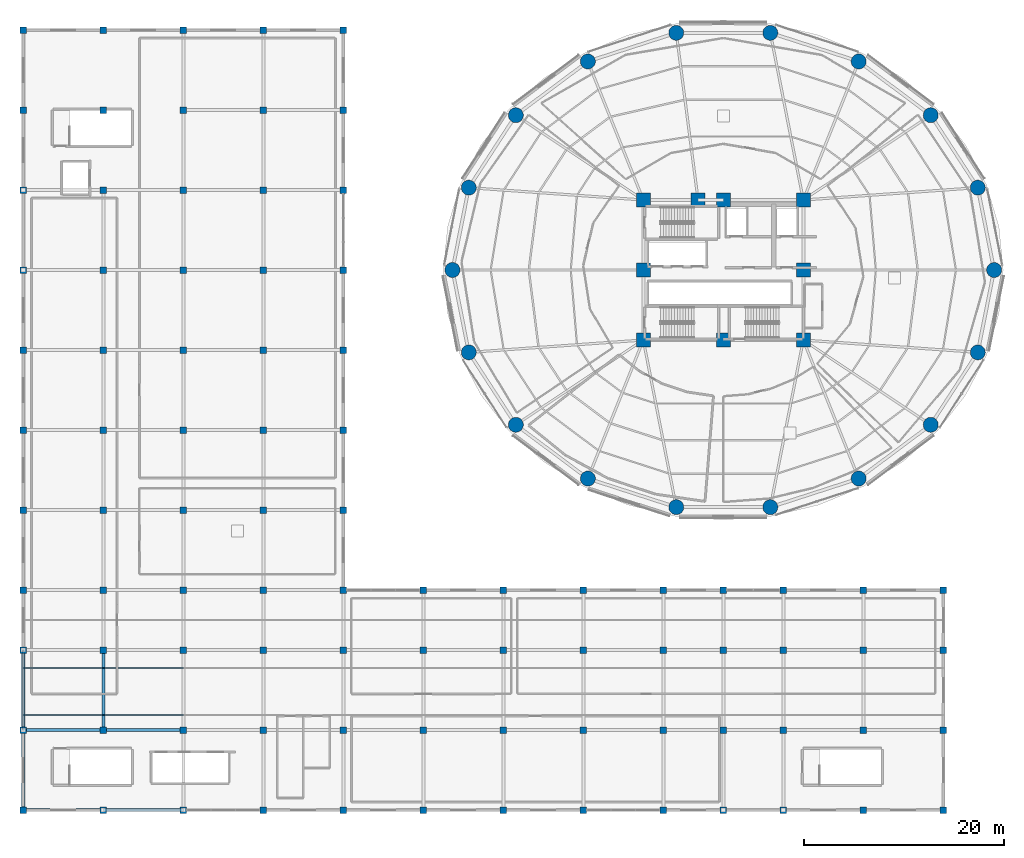
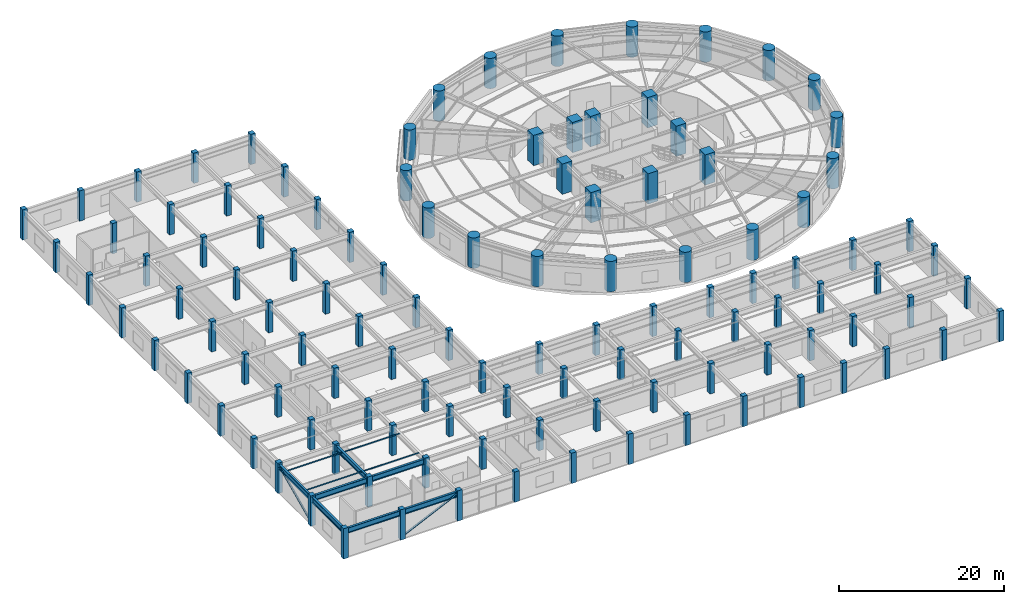
# One storey, part 1 of 46: 114 columns, 7 beams, 6 members.
"""IFC4 building model written with IfcOpenShell, lengths in metres."""

from ifc_helpers import new_model, si_unit, direction, frame, origin, origin_2d, place, context, subcontext, project, spatial, rectangle, hollow_rectangle, circle, hollow_circle, i_section, extrude, material, material_profile, profile_set, type_object, element, save


model = new_model("IFC4")

# Units and contexts
model_context = context("Model", 3, precision=1e-05, world=origin(), true_north=direction((0.0, 1.0)))
body_context = subcontext(model_context, "Body", "Model", "MODEL_VIEW")
ifc_project = project(units=[si_unit("LENGTHUNIT", "METRE"), si_unit("AREAUNIT", "SQUARE_METRE"), si_unit("VOLUMEUNIT", "CUBIC_METRE"), si_unit("PLANEANGLEUNIT", "RADIAN"), si_unit("MASSUNIT", "GRAM", prefix="KILO")], contexts=[model_context])

# Site, building, storey
site_placement = place(None, origin())
site = spatial("IfcSite", under=ifc_project, at=site_placement, CompositionType="ELEMENT")
building_placement = place(site_placement, origin())
building = spatial("IfcBuilding", under=site, at=building_placement, Name="Kelanora Arch Commons", CompositionType="ELEMENT")
storey_placement = place(building_placement, frame((0.0, 0.0, 18.0)))
storey = spatial("IfcBuildingStorey", under=building, at=storey_placement, Name="L04", CompositionType="ELEMENT", Elevation=18.0)

# Columns
ifc_material_1 = material(Name="Concrete C50/60", Category="concrete")
ifc_material_profile_1 = material_profile(ifc_material_1, rectangle(XDim=0.64990234375, YDim=0.64990234375, at=origin_2d()), Name="RC650x650")
ifc_profile_set_1 = profile_set([ifc_material_profile_1], Name="Concrete C50/60")
column_type_1 = type_object("IfcColumnType", Name="COL-MKT-UP", PredefinedType="COLUMN", material=ifc_profile_set_1)
for number, where, z_axis, x_axis, name in (
    (1, (4.0, 4.0, 0.0), (0.0, 0.0, 1.0), (1.0, 0.0, 0.0), "Market Hall Column 1-A L04"),
    (2, (4.0, 12.0, 0.0), (0.0, 0.0, 1.0), (1.0, 0.0, 0.0), "Market Hall Column 1-B L04"),
    (3, (4.0, 20.0, 0.0), (0.0, 0.0, 1.0), (1.0, 0.0, 0.0), "Market Hall Column 1-C L04"),
    (4, (4.0, 26.0, 0.0), (0.0, 0.0, 1.0), (1.0, 0.0, 0.0), "Market Hall Column 1-D L04"),
    (5, (4.0, 34.0, 0.0), (0.0, 0.0, 1.0), (1.0, 0.0, 0.0), "Market Hall Column 1-E L04"),
    (6, (4.0, 42.0, 0.0), (0.0, 0.0, 1.0), (1.0, 0.0, 0.0), "Market Hall Column 1-F L04"),
    (7, (4.0, 50.0, 0.0), (0.0, 0.0, 1.0), (1.0, 0.0, 0.0), "Market Hall Column 1-G L04"),
    (8, (4.0, 58.0, 0.0), (0.0, 0.0, 1.0), (1.0, 0.0, 0.0), "Market Hall Column 1-H L04"),
    (9, (4.0, 66.0, 0.0), (0.0, 0.0, 1.0), (1.0, 0.0, 0.0), "Market Hall Column 1-J L04"),
    (10, (4.0, 74.0, 0.0), (0.0, 0.0, 1.0), (1.0, 0.0, 0.0), "Market Hall Column 1-K L04"),
    (11, (4.0, 82.0, 0.0), (0.0, 0.0, 1.0), (1.0, 0.0, 0.0), "Market Hall Column 1-L L04"),
    (12, (12.0, 4.0, 0.0), (0.0, 0.0, 1.0), (1.0, 0.0, 0.0), "Market Hall Column 2-A L04"),
    (13, (12.0, 12.0, 0.0), (0.0, 0.0, 1.0), (1.0, 0.0, 0.0), "Market Hall Column 2-B L04"),
    (14, (12.0, 20.0, 0.0), (0.0, 0.0, 1.0), (1.0, 0.0, 0.0), "Market Hall Column 2-C L04"),
    (15, (12.0, 26.0, 0.0), (0.0, 0.0, 1.0), (1.0, 0.0, 0.0), "Market Hall Column 2-D L04"),
    (16, (12.0, 34.0, 0.0), (0.0, 0.0, 1.0), (1.0, 0.0, 0.0), "Market Hall Column 2-E L04"),
    (17, (12.0, 42.0, 0.0), (0.0, 0.0, 1.0), (1.0, 0.0, 0.0), "Market Hall Column 2-F L04"),
    (18, (12.0, 50.0, 0.0), (0.0, 0.0, 1.0), (1.0, 0.0, 0.0), "Market Hall Column 2-G L04"),
    (19, (12.0, 58.0, 0.0), (0.0, 0.0, 1.0), (1.0, 0.0, 0.0), "Market Hall Column 2-H L04"),
    (20, (12.0, 66.0, 0.0), (0.0, 0.0, 1.0), (1.0, 0.0, 0.0), "Market Hall Column 2-J L04"),
    (21, (12.0, 74.0, 0.0), (0.0, 0.0, 1.0), (1.0, 0.0, 0.0), "Market Hall Column 2-K L04"),
    (22, (12.0, 82.0, 0.0), (0.0, 0.0, 1.0), (1.0, 0.0, 0.0), "Market Hall Column 2-L L04"),
    (23, (20.0, 4.0, 0.0), (0.0, 0.0, 1.0), (1.0, 0.0, 0.0), "Market Hall Column 3-A L04"),
    (24, (20.0, 12.0, 0.0), (0.0, 0.0, 1.0), (1.0, 0.0, 0.0), "Market Hall Column 3-B L04"),
    (25, (20.0, 20.0, 0.0), (0.0, 0.0, 1.0), (1.0, 0.0, 0.0), "Market Hall Column 3-C L04"),
    (26, (20.0, 26.0, 0.0), (0.0, 0.0, 1.0), (1.0, 0.0, 0.0), "Market Hall Column 3-D L04"),
    (27, (20.0, 34.0, 0.0), (0.0, 0.0, 1.0), (1.0, 0.0, 0.0), "Market Hall Column 3-E L04"),
    (28, (20.0, 42.0, 0.0), (0.0, 0.0, 1.0), (1.0, 0.0, 0.0), "Market Hall Column 3-F L04"),
    (29, (20.0, 50.0, 0.0), (0.0, 0.0, 1.0), (1.0, 0.0, 0.0), "Market Hall Column 3-G L04"),
    (30, (20.0, 58.0, 0.0), (0.0, 0.0, 1.0), (1.0, 0.0, 0.0), "Market Hall Column 3-H L04"),
    (31, (20.0, 66.0, 0.0), (0.0, 0.0, 1.0), (1.0, 0.0, 0.0), "Market Hall Column 3-J L04"),
    (32, (20.0, 74.0, 0.0), (0.0, 0.0, 1.0), (1.0, 0.0, 0.0), "Market Hall Column 3-K L04"),
    (33, (20.0, 82.0, 0.0), (0.0, 0.0, 1.0), (1.0, 0.0, 0.0), "Market Hall Column 3-L L04"),
    (34, (28.0, 4.0, 0.0), (0.0, 0.0, 1.0), (1.0, 0.0, 0.0), "Market Hall Column 4-A L04"),
    (35, (28.0, 12.0, 0.0), (0.0, 0.0, 1.0), (1.0, 0.0, 0.0), "Market Hall Column 4-B L04"),
    (36, (28.0, 20.0, 0.0), (0.0, 0.0, 1.0), (1.0, 0.0, 0.0), "Market Hall Column 4-C L04"),
    (37, (28.0, 26.0, 0.0), (0.0, 0.0, 1.0), (1.0, 0.0, 0.0), "Market Hall Column 4-D L04"),
    (38, (28.0, 34.0, 0.0), (0.0, 0.0, 1.0), (1.0, 0.0, 0.0), "Market Hall Column 4-E L04"),
    (39, (28.0, 42.0, 0.0), (0.0, 0.0, 1.0), (1.0, 0.0, 0.0), "Market Hall Column 4-F L04"),
    (40, (28.0, 50.0, 0.0), (0.0, 0.0, 1.0), (1.0, 0.0, 0.0), "Market Hall Column 4-G L04"),
    (41, (28.0, 58.0, 0.0), (0.0, 0.0, 1.0), (1.0, 0.0, 0.0), "Market Hall Column 4-H L04"),
    (42, (28.0, 66.0, 0.0), (0.0, 0.0, 1.0), (1.0, 0.0, 0.0), "Market Hall Column 4-J L04"),
    (43, (28.0, 74.0, 0.0), (0.0, 0.0, 1.0), (1.0, 0.0, 0.0), "Market Hall Column 4-K L04"),
    (44, (28.0, 82.0, 0.0), (0.0, 0.0, 1.0), (1.0, 0.0, 0.0), "Market Hall Column 4-L L04"),
    (45, (36.0, 4.0, 0.0), (0.0, 0.0, 1.0), (1.0, 0.0, 0.0), "Market Hall Column 5-A L04"),
    (46, (36.0, 12.0, 0.0), (0.0, 0.0, 1.0), (1.0, 0.0, 0.0), "Market Hall Column 5-B L04"),
    (47, (36.0, 20.0, 0.0), (0.0, 0.0, 1.0), (1.0, 0.0, 0.0), "Market Hall Column 5-C L04"),
    (48, (36.0, 26.0, 0.0), (0.0, 0.0, 1.0), (1.0, 0.0, 0.0), "Market Hall Column 5-D L04"),
    (49, (36.0, 34.0, 0.0), (0.0, 0.0, 1.0), (1.0, 0.0, 0.0), "Market Hall Column 5-E L04"),
    (50, (36.0, 42.0, 0.0), (0.0, 0.0, 1.0), (1.0, 0.0, 0.0), "Market Hall Column 5-F L04"),
    (51, (36.0, 50.0, 0.0), (0.0, 0.0, 1.0), (1.0, 0.0, 0.0), "Market Hall Column 5-G L04"),
    (52, (36.0, 58.0, 0.0), (0.0, 0.0, 1.0), (1.0, 0.0, 0.0), "Market Hall Column 5-H L04"),
    (53, (36.0, 66.0, 0.0), (0.0, 0.0, 1.0), (1.0, 0.0, 0.0), "Market Hall Column 5-J L04"),
    (54, (36.0, 74.0, 0.0), (0.0, 0.0, 1.0), (1.0, 0.0, 0.0), "Market Hall Column 5-K L04"),
    (55, (36.0, 82.0, 0.0), (0.0, 0.0, 1.0), (1.0, 0.0, 0.0), "Market Hall Column 5-L L04"),
    (56, (44.0, 4.0, 0.0), (0.0, 0.0, 1.0), (1.0, 0.0, 0.0), "Market Hall Column 6-A L04"),
    (57, (44.0, 12.0, 0.0), (0.0, 0.0, 1.0), (1.0, 0.0, 0.0), "Market Hall Column 6-B L04"),
    (58, (44.0, 20.0, 0.0), (0.0, 0.0, 1.0), (1.0, 0.0, 0.0), "Market Hall Column 6-C L04"),
    (59, (44.0, 26.0, 0.0), (0.0, 0.0, 1.0), (1.0, 0.0, 0.0), "Market Hall Column 6-D L04"),
    (60, (52.0, 4.0, 0.0), (0.0, 0.0, 1.0), (1.0, 0.0, 0.0), "Market Hall Column 7-A L04"),
    (61, (52.0, 12.0, 0.0), (0.0, 0.0, 1.0), (1.0, 0.0, 0.0), "Market Hall Column 7-B L04"),
    (62, (52.0, 20.0, 0.0), (0.0, 0.0, 1.0), (1.0, 0.0, 0.0), "Market Hall Column 7-C L04"),
    (63, (52.0, 26.0, 0.0), (0.0, 0.0, 1.0), (1.0, 0.0, 0.0), "Market Hall Column 7-D L04"),
    (64, (60.0, 4.0, 0.0), (0.0, 0.0, 1.0), (1.0, 0.0, 0.0), "Market Hall Column 8-A L04"),
    (65, (60.0, 12.0, 0.0), (0.0, 0.0, 1.0), (1.0, 0.0, 0.0), "Market Hall Column 8-B L04"),
    (66, (60.0, 20.0, 0.0), (0.0, 0.0, 1.0), (1.0, 0.0, 0.0), "Market Hall Column 8-C L04"),
    (67, (60.0, 26.0, 0.0), (0.0, 0.0, 1.0), (1.0, 0.0, 0.0), "Market Hall Column 8-D L04"),
    (68, (68.0, 4.0, 0.0), (0.0, 0.0, 1.0), (1.0, 0.0, 0.0), "Market Hall Column 9-A L04"),
    (69, (68.0, 12.0, 0.0), (0.0, 0.0, 1.0), (1.0, 0.0, 0.0), "Market Hall Column 9-B L04"),
    (70, (68.0, 20.0, 0.0), (0.0, 0.0, 1.0), (1.0, 0.0, 0.0), "Market Hall Column 9-C L04"),
    (71, (68.0, 26.0, 0.0), (0.0, 0.0, 1.0), (1.0, 0.0, 0.0), "Market Hall Column 9-D L04"),
    (72, (74.0, 4.0, 0.0), (0.0, 0.0, 1.0), (1.0, 0.0, 0.0), "Market Hall Column 10-A L04"),
    (73, (74.0, 12.0, 0.0), (0.0, 0.0, 1.0), (1.0, 0.0, 0.0), "Market Hall Column 10-B L04"),
    (74, (74.0, 20.0, 0.0), (0.0, 0.0, 1.0), (1.0, 0.0, 0.0), "Market Hall Column 10-C L04"),
    (75, (74.0, 26.0, 0.0), (0.0, 0.0, 1.0), (1.0, 0.0, 0.0), "Market Hall Column 10-D L04"),
    (76, (80.0, 4.0, 0.0), (0.0, 0.0, 1.0), (1.0, 0.0, 0.0), "Market Hall Column 11-A L04"),
    (77, (80.0, 12.0, 0.0), (0.0, 0.0, 1.0), (1.0, 0.0, 0.0), "Market Hall Column 11-B L04"),
    (78, (80.0, 20.0, 0.0), (0.0, 0.0, 1.0), (1.0, 0.0, 0.0), "Market Hall Column 11-C L04"),
    (79, (80.0, 26.0, 0.0), (0.0, 0.0, 1.0), (1.0, 0.0, 0.0), "Market Hall Column 11-D L04"),
    (80, (88.0, 4.0, 0.0), (0.0, 0.0, 1.0), (1.0, 0.0, 0.0), "Market Hall Column 12-A L04"),
    (81, (88.0, 12.0, 0.0), (0.0, 0.0, 1.0), (1.0, 0.0, 0.0), "Market Hall Column 12-B L04"),
    (82, (88.0, 20.0, 0.0), (0.0, 0.0, 1.0), (1.0, 0.0, 0.0), "Market Hall Column 12-C L04"),
    (83, (88.0, 26.0, 0.0), (0.0, 0.0, 1.0), (1.0, 0.0, 0.0), "Market Hall Column 12-D L04"),
    (84, (96.0, 4.0, 0.0), (0.0, 0.0, 1.0), (1.0, 0.0, 0.0), "Market Hall Column 13-A L04"),
    (85, (96.0, 12.0, 0.0), (0.0, 0.0, 1.0), (1.0, 0.0, 0.0), "Market Hall Column 13-B L04"),
    (86, (96.0, 20.0, 0.0), (0.0, 0.0, 1.0), (1.0, 0.0, 0.0), "Market Hall Column 13-C L04"),
    (87, (96.0, 26.0, 0.0), (0.0, 0.0, 1.0), (1.0, 0.0, 0.0), "Market Hall Column 13-D L04"),
):
    element("IfcColumn", number, at=place(storey_placement, frame(where, z_axis=z_axis, x_axis=x_axis)), inside=storey, type_object=column_type_1, Name=name, PredefinedType="COLUMN", context=body_context, shape_type="SweptSolid", body=[
        extrude(rectangle(XDim=0.64990234375, YDim=0.64990234375, at=origin_2d()), origin(), (0.0, 0.0, 1.0), 4.5),
    ])
ifc_material_2 = material(Name="Concrete C60/75", Category="concrete")
ifc_material_profile_2 = material_profile(ifc_material_2, circle(Radius=0.75, at=origin_2d()), Name="RCC1500")
ifc_profile_set_2 = profile_set([ifc_material_profile_2], Name="Concrete C60/75")
column_type_2 = type_object("IfcColumnType", Name="COL-PERIM-Z1", PredefinedType="COLUMN", material=ifc_profile_set_2)
for number, where, z_axis, x_axis, name in (
    (88, (101.080078125, 58.0, 0.0), (0.0, 0.0, 1.0), (1.0, 0.0, 0.0), "Perimeter Ring Column CP-00 L04"),
    (89, (99.447021484375, 66.23583984375, 0.0), (0.0, 0.0, 1.0), (1.0, 0.0, 0.0), "Perimeter Ring Column CP-02 L04"),
    (90, (94.744384765625, 73.478271484375, 0.0), (0.0, 0.0, 1.0), (1.0, 0.0, 0.0), "Perimeter Ring Column CP-04 L04"),
    (91, (87.5400390625, 78.85400390625, 0.0), (0.0, 0.0, 1.0), (1.0, 0.0, 0.0), "Perimeter Ring Column CP-06 L04"),
    (92, (78.702392578125, 81.714111328125, 0.0), (0.0, 0.0, 1.0), (1.0, 0.0, 0.0), "Perimeter Ring Column CP-08 L04"),
    (93, (69.297607421875, 81.714111328125, 0.0), (0.0, 0.0, 1.0), (1.0, 0.0, 0.0), "Perimeter Ring Column CP-10 L04"),
    (94, (60.4599609375, 78.85400390625, 0.0), (0.0, 0.0, 1.0), (1.0, 0.0, 0.0), "Perimeter Ring Column CP-12 L04"),
    (95, (53.255615234375, 73.478271484375, 0.0), (0.0, 0.0, 1.0), (1.0, 0.0, 0.0), "Perimeter Ring Column CP-14 L04"),
    (96, (48.552978515625, 66.23583984375, 0.0), (0.0, 0.0, 1.0), (1.0, 0.0, 0.0), "Perimeter Ring Column CP-16 L04"),
    (97, (46.919921875, 58.0, 0.0), (0.0, 0.0, 1.0), (1.0, 0.0, 0.0), "Perimeter Ring Column CP-18 L04"),
    (98, (48.552978515625, 49.76416015625, 0.0), (0.0, 0.0, 1.0), (1.0, 0.0, 0.0), "Perimeter Ring Column CP-20 L04"),
    (99, (53.255615234375, 42.521728515625, 0.0), (0.0, 0.0, 1.0), (1.0, 0.0, 0.0), "Perimeter Ring Column CP-22 L04"),
    (100, (60.4599609375, 37.14599609375, 0.0), (0.0, 0.0, 1.0), (1.0, 0.0, 0.0), "Perimeter Ring Column CP-24 L04"),
    (101, (69.297607421875, 34.285888671875, 0.0), (0.0, 0.0, 1.0), (1.0, 0.0, 0.0), "Perimeter Ring Column CP-26 L04"),
    (102, (78.702392578125, 34.285888671875, 0.0), (0.0, 0.0, 1.0), (1.0, 0.0, 0.0), "Perimeter Ring Column CP-28 L04"),
    (103, (87.5400390625, 37.14599609375, 0.0), (0.0, 0.0, 1.0), (1.0, 0.0, 0.0), "Perimeter Ring Column CP-30 L04"),
    (104, (94.744384765625, 42.521728515625, 0.0), (0.0, 0.0, 1.0), (1.0, 0.0, 0.0), "Perimeter Ring Column CP-32 L04"),
    (105, (99.447021484375, 49.76416015625, 0.0), (0.0, 0.0, 1.0), (1.0, 0.0, 0.0), "Perimeter Ring Column CP-34 L04"),
):
    element("IfcColumn", number, at=place(storey_placement, frame(where, z_axis=z_axis, x_axis=x_axis)), inside=storey, type_object=column_type_2, Name=name, PredefinedType="COLUMN", context=body_context, shape_type="SweptSolid", body=[
        extrude(circle(Radius=0.75, at=origin_2d()), origin(), (0.0, 0.0, 1.0), 4.5),
    ])
ifc_material_profile_3 = material_profile(ifc_material_2, rectangle(XDim=1.39990234375, YDim=1.39990234375, at=origin_2d()), Name="RC1400x1400")
ifc_profile_set_3 = profile_set([ifc_material_profile_3], Name="Concrete C60/75")
column_type_3 = type_object("IfcColumnType", Name="COL-PIL-LOW", PredefinedType="PILASTER", material=ifc_profile_set_3)
for number, where, z_axis, x_axis, name in (
    (106, (66.0, 51.0, 0.0), (0.0, 0.0, 1.0), (1.0, 0.0, 0.0), "Core Pilaster Column CP1 L04"),
    (107, (74.0, 51.0, 0.0), (0.0, 0.0, 1.0), (1.0, 0.0, 0.0), "Core Pilaster Column CP2 L04"),
    (108, (82.0, 51.0, 0.0), (0.0, 0.0, 1.0), (1.0, 0.0, 0.0), "Core Pilaster Column CP3 L04"),
    (109, (82.0, 58.0, 0.0), (0.0, 0.0, 1.0), (1.0, 0.0, 0.0), "Core Pilaster Column CP4 L04"),
    (110, (82.0, 65.0, 0.0), (0.0, 0.0, 1.0), (1.0, 0.0, 0.0), "Core Pilaster Column CP5 L04"),
    (111, (74.0, 65.0, 0.0), (0.0, 0.0, 1.0), (1.0, 0.0, 0.0), "Core Pilaster Column CP6 L04"),
    (112, (71.47998046875, 65.0, 0.0), (0.0, 0.0, 1.0), (1.0, 0.0, 0.0), "Core Pilaster Column CP9 L04"),
    (113, (66.0, 65.0, 0.0), (0.0, 0.0, 1.0), (1.0, 0.0, 0.0), "Core Pilaster Column CP7 L04"),
    (114, (66.0, 58.0, 0.0), (0.0, 0.0, 1.0), (1.0, 0.0, 0.0), "Core Pilaster Column CP8 L04"),
):
    element("IfcColumn", number, at=place(storey_placement, frame(where, z_axis=z_axis, x_axis=x_axis)), inside=storey, type_object=column_type_3, Name=name, PredefinedType="PILASTER", context=body_context, shape_type="SweptSolid", body=[
        extrude(rectangle(XDim=1.39990234375, YDim=1.39990234375, at=origin_2d()), origin(), (0.0, 0.0, 1.0), 4.5),
    ])

# Beams
ifc_material_3 = material(Name="Steel S355", Category="steel")
ifc_material_profile_4 = material_profile(ifc_material_3, i_section(OverallWidth=0.300048828125, OverallDepth=0.800048828125, WebThickness=0.017578125, FlangeThickness=0.032958984375, FilletRadius=0.030029296875, at=origin_2d()), Name="HEB800")
ifc_profile_set_4 = profile_set([ifc_material_profile_4], Name="Steel S355")
beam_type = type_object("IfcBeamType", Name="BM-MKT-ROOF", PredefinedType="USERDEFINED", material=ifc_profile_set_4)
for number, where, z_axis, x_axis, name in (
    (115, (4.0, 4.0, 3.860107421875), (1.0, 0.0, 0.0), (0.0, 1.0, 0.0), "Market/Basement Frame Beam 001 L04"),
    (116, (4.0, 4.0, 3.860107421875), (0.0, 1.0, 0.0), (-1.0, 0.0, 0.0), "Market/Basement Frame Beam 002 L04"),
    (117, (4.0, 12.0, 3.860107421875), (1.0, 0.0, 0.0), (0.0, 1.0, 0.0), "Market/Basement Frame Beam 003 L04"),
    (118, (4.0, 12.0, 3.860107421875), (0.0, 1.0, 0.0), (-1.0, 0.0, 0.0), "Market/Basement Frame Beam 004 L04"),
    (119, (12.0, 4.0, 3.860107421875), (1.0, 0.0, 0.0), (0.0, 1.0, 0.0), "Market/Basement Frame Beam 021 L04"),
    (120, (12.0, 12.0, 3.860107421875), (1.0, 0.0, 0.0), (0.0, 1.0, 0.0), "Market/Basement Frame Beam 022 L04"),
    (121, (12.0, 12.0, 3.860107421875), (0.0, 1.0, 0.0), (-1.0, 0.0, 0.0), "Market/Basement Frame Beam 023 L04"),
):
    element("IfcBeam", number, at=place(storey_placement, frame(where, z_axis=z_axis, x_axis=x_axis)), inside=storey, type_object=beam_type, Name=name, ObjectType="TRANSFER_GIRDER", PredefinedType="USERDEFINED", context=body_context, shape_type="SweptSolid", body=[
        extrude(i_section(OverallWidth=0.300048828125, OverallDepth=0.800048828125, WebThickness=0.017578125, FlangeThickness=0.032958984375, FilletRadius=0.030029296875, at=origin_2d()), origin(), (0.0, 0.0, 1.0), 8.0),
    ])

# Members
ifc_material_profile_5 = material_profile(ifc_material_3, hollow_circle(Radius=0.136474609375, WallThickness=0.012451171875, at=origin_2d()), Name="CHS273x12.5")
ifc_profile_set_5 = profile_set([ifc_material_profile_5], Name="Steel S355")
member_type_1 = type_object("IfcMemberType", Name="MEM-MKT-BRACE", PredefinedType="BRACE", material=ifc_profile_set_5)
for number, where, z_axis, x_axis, name in (
    (122, (12.0, 4.0, 0.25), (0.905894061359, 0.0, 0.423504367858), (0.0, 1.0, 0.0), "Market Hall Lateral Brace 01 L04"),
    (123, (4.0, 12.0, 0.25), (0.0, 0.905894061359, 0.423504367858), (-1.0, 0.0, 0.0), "Market Hall Lateral Brace 03 L04"),
):
    element("IfcMember", number, at=place(storey_placement, frame(where, z_axis=z_axis, x_axis=x_axis)), inside=storey, type_object=member_type_1, Name=name, PredefinedType="BRACE", context=body_context, shape_type="SweptSolid", body=[
        extrude(hollow_circle(Radius=0.136474609375, WallThickness=0.012451171875, at=origin_2d()), origin(), (0.0, 0.0, 1.0), 8.8310546875),
    ])
ifc_material_profile_6 = material_profile(ifc_material_3, hollow_rectangle(XDim=0.070068359375, YDim=0.179931640625, WallThickness=0.0048828125, InnerFilletRadius=0.0048828125, OuterFilletRadius=0.010009765625, at=origin_2d()), Name="RHS180x70x5")
ifc_profile_set_6 = profile_set([ifc_material_profile_6], Name="Steel S355")
member_type_2 = type_object("IfcMemberType", Name="MEM-MKT-PURLIN", PredefinedType="PURLIN", material=ifc_profile_set_6)
for number, where, z_axis, x_axis, name in (
    (124, (4.0, 13.5, 4.14990234375), (1.0, 0.0, 0.0), (0.0, 1.0, 0.0), "Market Hall Roof Purlin 01"),
    (125, (12.0, 13.5, 4.14990234375), (1.0, 0.0, 0.0), (0.0, 1.0, 0.0), "Market Hall Roof Purlin 02"),
    (126, (4.0, 18.199951171875, 4.14990234375), (1.0, 0.0, 0.0), (0.0, 1.0, 0.0), "Market Hall Roof Purlin 13"),
    (127, (12.0, 18.199951171875, 4.14990234375), (1.0, 0.0, 0.0), (0.0, 1.0, 0.0), "Market Hall Roof Purlin 14"),
):
    element("IfcMember", number, at=place(storey_placement, frame(where, z_axis=z_axis, x_axis=x_axis)), inside=storey, type_object=member_type_2, Name=name, PredefinedType="PURLIN", context=body_context, shape_type="SweptSolid", body=[
        extrude(hollow_rectangle(XDim=0.070068359375, YDim=0.179931640625, WallThickness=0.0048828125, InnerFilletRadius=0.0048828125, OuterFilletRadius=0.010009765625, at=origin_2d()), origin(), (0.0, 0.0, 1.0), 8.0),
    ])

save(model, "model.ifc")
